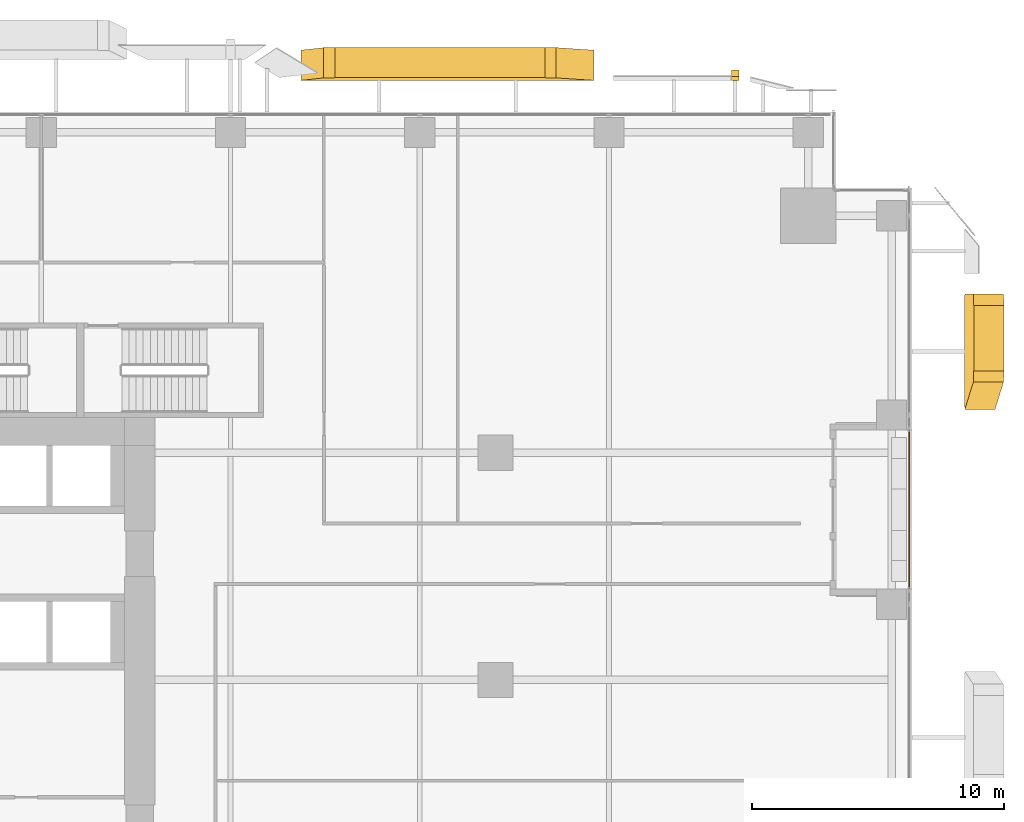
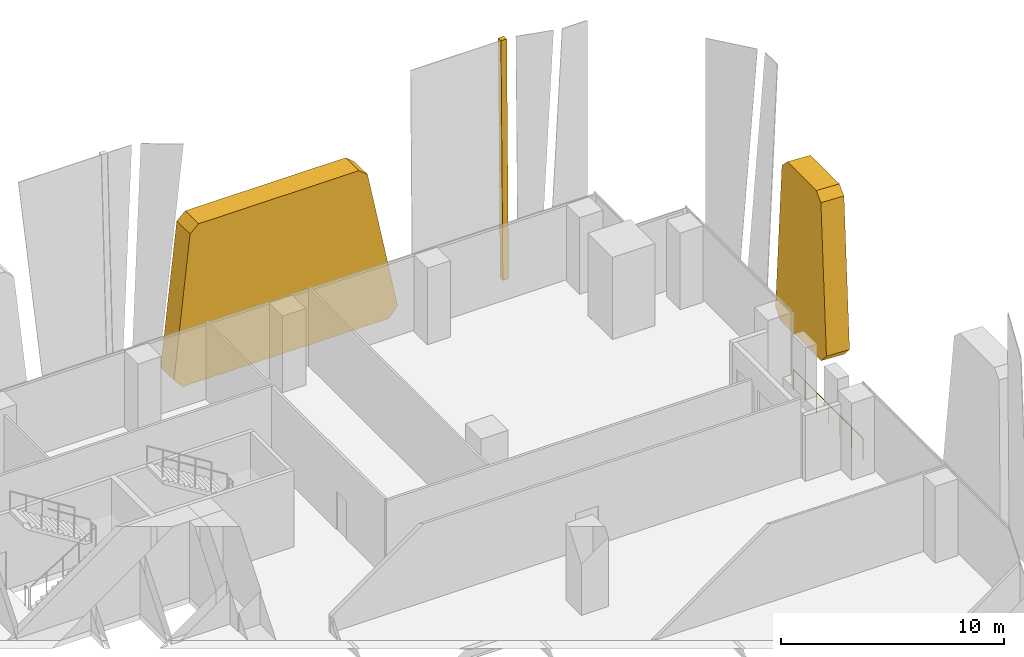
# One storey, part 36 of 37: 3 coverings, 1 railing.
"""IFC4 building model written with IfcOpenShell, lengths in metres."""

from ifc_helpers import new_model, si_unit, direction, frame, origin, origin_2d, place, context, subcontext, project, spatial, polyline, circle, outline, extrude, source, transform, mapped, material, layer, layer_set, type_object, element, save


model = new_model("IFC4")

# Units and contexts
model_context = context("Model", 3, precision=1e-05, world=origin(), true_north=direction((0.0, 1.0)))
body_context = subcontext(model_context, "Body", "Model", "MODEL_VIEW")
ifc_project = project(units=[si_unit("LENGTHUNIT", "METRE"), si_unit("AREAUNIT", "SQUARE_METRE"), si_unit("VOLUMEUNIT", "CUBIC_METRE"), si_unit("PLANEANGLEUNIT", "RADIAN"), si_unit("MASSUNIT", "GRAM", prefix="KILO")], contexts=[model_context])

# Site, building, storey
site_placement = place(None, origin())
site = spatial("IfcSite", under=ifc_project, at=site_placement, CompositionType="ELEMENT")
building_placement = place(site_placement, origin())
building = spatial("IfcBuilding", under=site, at=building_placement, Name="Khomas Fold Tower", CompositionType="ELEMENT")
storey_placement = place(building_placement, frame((0.0, 0.0, 60.0)))
storey = spatial("IfcBuildingStorey", under=building, at=storey_placement, Name="L12", CompositionType="ELEMENT", Elevation=60.0)

# Coverings
ifc_material_1 = material(Name="Natural stone cladding", Category="masonry")
ifc_layer_1 = layer(ifc_material_1, 0.25)
ifc_layer_set_1 = layer_set([ifc_layer_1], Name="Natural stone cladding")
covering_type_1 = type_object("IfcCoveringType", Name="SK-Karibib marble stone mullion", PredefinedType="CLADDING", material=ifc_layer_set_1)
covering_1_placement = place(storey_placement, frame((46.85009765625, 55.254638671875, 0.0), z_axis=(0.0, -0.999913527075, 0.013150603512), x_axis=(0.0, 0.013150603512, 0.999913527075)))
element("IfcCovering", 1, at=covering_1_placement, inside=storey, type_object=covering_type_1, Name="OUTER SKIN mullion L12 NM107-11", PredefinedType="CLADDING", context=body_context, shape_type="SweptSolid", body=[
    extrude(outline(polyline([(0.0, 0.0), (13.051177401611568, 0.0), (13.051177401611568, -0.2998046875), (0.0, -0.2998046875), (0.0, 0.0)])), origin(), (0.0, 0.0, -1.0), 0.25),
])
ifc_material_2 = material(Name="Natural stone cladding", Category="masonry")
ifc_layer_2 = layer(ifc_material_2, 1.199951171875)
ifc_layer_set_2 = layer_set([ifc_layer_2], Name="Natural stone cladding")
covering_type_2 = type_object("IfcCoveringType", Name="SK-Karibib marble stone panel", PredefinedType="CLADDING", material=ifc_layer_set_2)
covering_2_placement = place(storey_placement, frame((56.10498046875, 42.2275390625, 0.512939453125), z_axis=(-0.999042224913, 1.6033891e-05, 0.043756514748), x_axis=(0.043330993526, 0.139484990232, 0.989275675684)))
element("IfcCovering", 2, at=covering_2_placement, inside=storey, type_object=covering_type_2, Name="OUTER SKIN leaf L12 ES09-3", PredefinedType="CLADDING", context=body_context, shape_type="SweptSolid", body=[
    extrude(outline(polyline([(0.0, 0.0), (7.73282686324341, 0.0), (8.178770344286978, 0.3871388178367492), (8.541206562801458, 2.9601261236549306), (8.157985360710539, 3.4685006753440906), (0.5753673380842402, 4.536603654578905), (0.06662326636592664, 4.1538731410377885), (-0.44626331514742207, 0.5128168774910788), (0.0, 0.0)])), origin(), (0.0, 0.0, -1.0), 1.199951171875),
])
covering_3_placement = place(storey_placement, frame((39.89892578125, 55.3623046875, 8.1865234375), z_axis=(3.524563e-06, -0.999913398634, 0.013160365501), x_axis=(0.192123480529, -0.012914520798, -0.981285780689)))
element("IfcCovering", 3, at=covering_3_placement, inside=storey, type_object=covering_type_2, Name="OUTER SKIN leaf L12 NS08-2", PredefinedType="CLADDING", context=body_context, shape_type="SweptSolid", body=[
    extrude(outline(polyline([(0.0, 0.0), (7.796042058959227, 2.220446049250313e-16), (8.23762116174254, -0.5364823636556302), (6.180220715838409, -11.045726904110992), (5.601453226632771, -11.387928520198749), (-1.735012205808237, -9.040401492695349), (-2.039507490679451, -8.525531823808793), (-0.44163676614692626, -0.36357471838617333), (0.0, 0.0)])), origin(), (0.0, 0.0, -1.0), 1.199951171875),
])

# Railing
ifc_material_3 = material(Name="Powder-coated steel", Category="steel")
railing_type = type_object("IfcRailingType", Name="Balcony guard", PredefinedType="GUARDRAIL", material=ifc_material_3)
shared_shape = source(origin(), body_context, "Body", "SweptSolid", [
    extrude(circle(Radius=0.02490234375, at=origin_2d()), frame((0.0, 0.0, 1.125), z_axis=(0.0, 1.0, 0.0), x_axis=(-1.0, 0.0, 0.0)), (0.0, 0.0, 1.0), 6.240234375),
    extrude(circle(Radius=0.02001953125, at=origin_2d()), origin(), (0.0, 0.0, 1.0), 1.099853515625),
    extrude(circle(Radius=0.02001953125, at=origin_2d()), frame((0.0, 1.0400390625, 0.0)), (0.0, 0.0, 1.0), 1.099853515625),
    extrude(circle(Radius=0.02001953125, at=origin_2d()), frame((0.0, 2.080078125, 0.0)), (0.0, 0.0, 1.0), 1.099853515625),
    extrude(circle(Radius=0.02001953125, at=origin_2d()), frame((0.0, 3.1201171875, 0.0)), (0.0, 0.0, 1.0), 1.099853515625),
    extrude(circle(Radius=0.02001953125, at=origin_2d()), frame((0.0, 4.16015625, 0.0)), (0.0, 0.0, 1.0), 1.099853515625),
    extrude(circle(Radius=0.02001953125, at=origin_2d()), frame((0.0, 5.2001953125, 0.0)), (0.0, 0.0, 1.0), 1.099853515625),
    extrude(circle(Radius=0.02001953125, at=origin_2d()), frame((0.0, 6.240234375, 0.0)), (0.0, 0.0, 1.0), 1.099853515625),
])
railing_placement = place(storey_placement, frame((53.89990234375, 35.1298828125, -0.044921875)))
element("IfcRailing", 4, at=railing_placement, inside=storey, type_object=railing_type, Name="Balcony guard BAL-L12-E4", PredefinedType="GUARDRAIL", context=body_context, shape_type="MappedRepresentation", body=[
    mapped(shared_shape, transform((0.0, 0.0, 0.0))),
])

save(model, "model.ifc")
